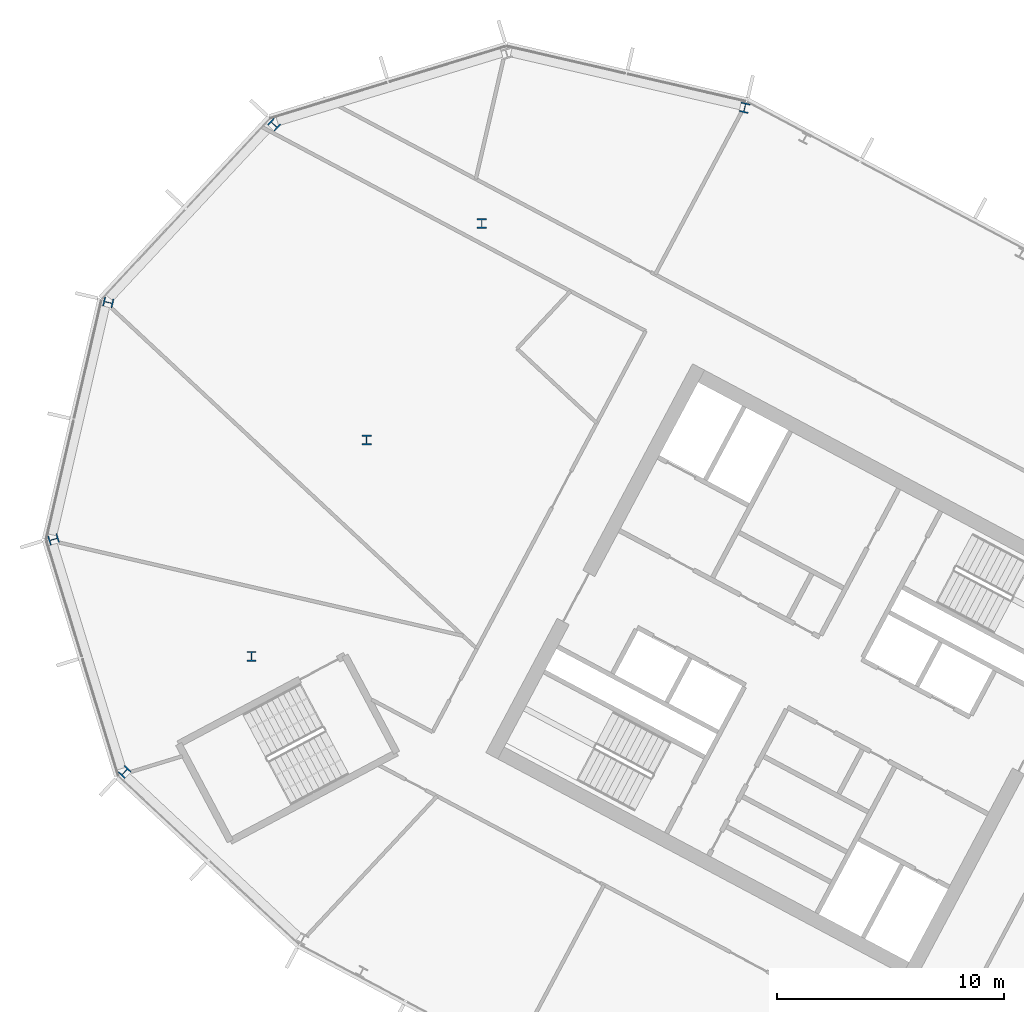
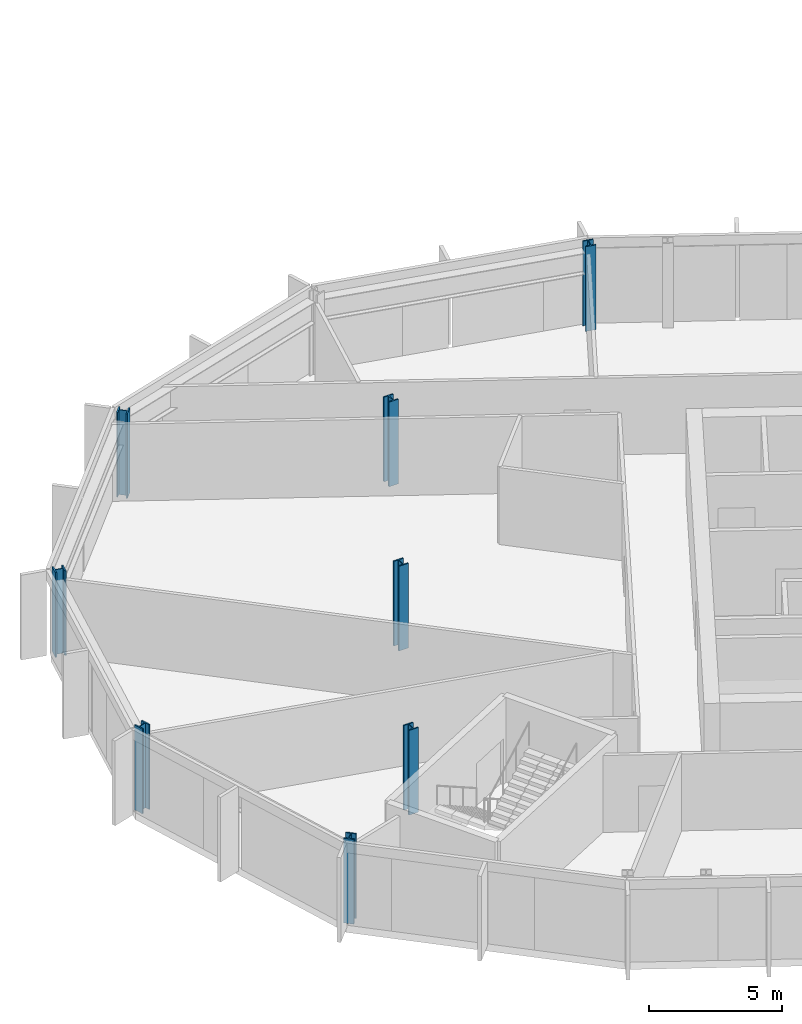
# One storey, part 3 of 26: 8 columns.
"""IFC4 building model written with IfcOpenShell, lengths in metres."""

from ifc_helpers import new_model, si_unit, direction, frame, origin, origin_2d, place, context, subcontext, project, spatial, i_section, extrude, material, material_profile, profile_set, type_object, element, save


model = new_model("IFC4")

# Units and contexts
model_context = context("Model", 3, precision=1e-05, world=origin(), true_north=direction((0.0, 1.0)))
body_context = subcontext(model_context, "Body", "Model", "MODEL_VIEW")
ifc_project = project(units=[si_unit("LENGTHUNIT", "METRE"), si_unit("AREAUNIT", "SQUARE_METRE"), si_unit("VOLUMEUNIT", "CUBIC_METRE"), si_unit("PLANEANGLEUNIT", "RADIAN"), si_unit("MASSUNIT", "GRAM", prefix="KILO")], contexts=[model_context])

# Site, building, storey
site_placement = place(None, origin())
site = spatial("IfcSite", under=ifc_project, at=site_placement, CompositionType="ELEMENT")
building_placement = place(site_placement, origin())
building = spatial("IfcBuilding", under=site, at=building_placement, Name="Cormorant Relay Tower", CompositionType="ELEMENT")
storey_placement = place(building_placement, frame((0.0, 0.0, 236.39990234375)))
storey = spatial("IfcBuildingStorey", under=building, at=storey_placement, Name="L52", CompositionType="ELEMENT", Elevation=236.39990234375)

# Columns
ifc_material = material(Name="Steel ASTM A992 (Fy 345 MPa)", Category="steel")
ifc_material_profile = material_profile(ifc_material, i_section(OverallWidth=0.41162109375, OverallDepth=0.434326171875, WebThickness=0.035888671875, FlangeThickness=0.057373046875, FilletRadius=0.01513671875, at=origin_2d()), Name="W360x463")
ifc_profile_set = profile_set([ifc_material_profile], Name="Steel ASTM A992 (Fy 345 MPa)")
column_type = type_object("IfcColumnType", Name="Column W360x463", PredefinedType="COLUMN", material=ifc_profile_set)
for number, where, z_axis, x_axis, name in (
    (1, (-57.279052734375, 10.162109375, 0.0), (0.0, 0.0, 1.0), (0.731353701619, -0.681998360062, 0.0), "Column L52-022"),
    (2, (-51.68994140625, 15.251953125, 0.0), (0.0, 0.0, 1.0), (1.0, 0.0, 0.0), "Column L52-027"),
    (3, (-60.409912109375, 20.404052734375, 0.0), (0.0, 0.0, 1.0), (0.292371704723, -0.956304755963, 0.0), "Column L52-028"),
    (4, (-46.6201171875, 24.7880859375, 0.0), (0.0, 0.0, 1.0), (1.0, 0.0, 0.0), "Column L52-031"),
    (5, (-58.0009765625, 30.840087890625, 0.0), (0.0, 0.0, 1.0), (-0.224951054344, -0.974370064785, 0.0), "Column L52-034"),
    (6, (-41.549072265625, 34.323974609375, 0.0), (0.0, 0.0, 1.0), (1.0, 0.0, 0.0), "Column L52-038"),
    (7, (-50.697021484375, 38.672119140625, 0.0), (0.0, 0.0, 1.0), (-0.681998360062, -0.731353701619, 0.0), "Column L52-042"),
    (8, (-29.968017578125, 39.4150390625, 0.0), (0.0, 0.0, 1.0), (-0.974370064785, 0.224951054344, 0.0), "Column L52-044"),
):
    element("IfcColumn", number, at=place(storey_placement, frame(where, z_axis=z_axis, x_axis=x_axis)), inside=storey, type_object=column_type, Name=name, PredefinedType="COLUMN", context=body_context, shape_type="SweptSolid", body=[
        extrude(i_section(OverallWidth=0.41162109375, OverallDepth=0.434326171875, WebThickness=0.035888671875, FlangeThickness=0.057373046875, FilletRadius=0.01513671875, at=origin_2d()), origin(), (0.0, 0.0, 1.0), 3.900146484375),
    ])

save(model, "model.ifc")
